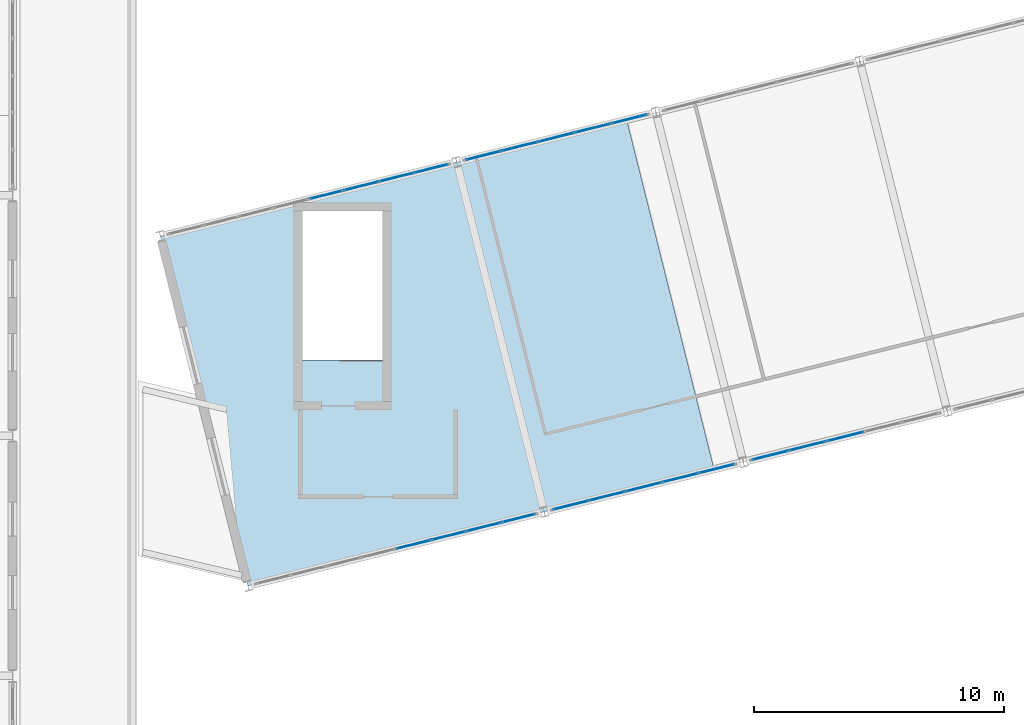
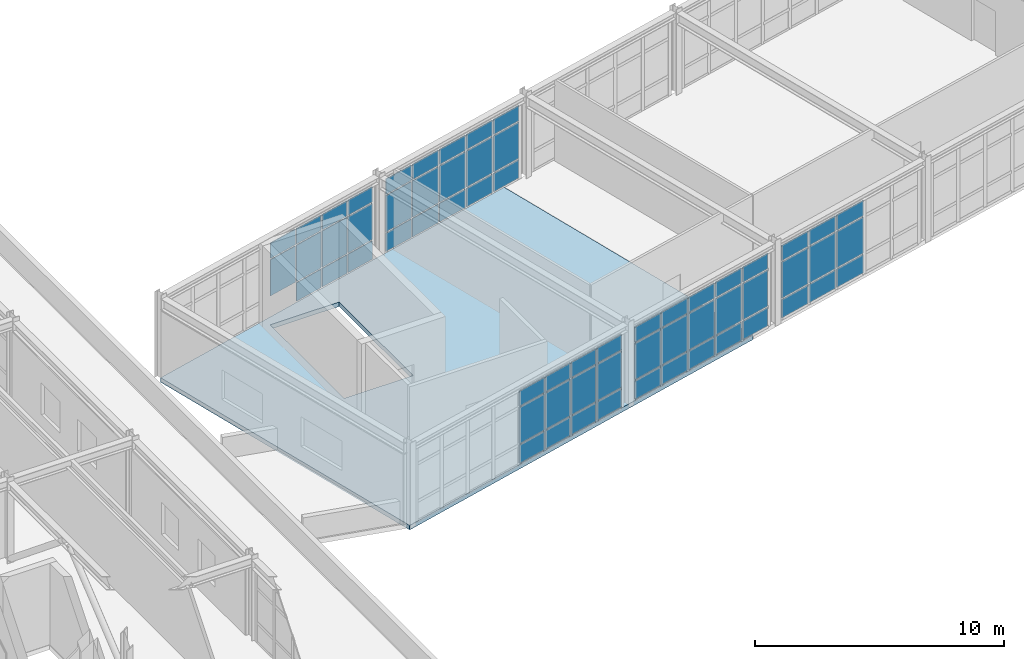
# One storey, part 41 of 64: 62 plates, 1 slab, 5 elements without a shape of their own.
"""IFC4 building model written with IfcOpenShell, lengths in metres."""

from ifc_helpers import new_model, si_unit, direction, frame, origin, origin_2d, place, context, subcontext, project, spatial, polyline, rectangle, outline, extrude, material, layer, layer_set, type_object, element, aggregate, save


model = new_model("IFC4")

# Units and contexts
model_context = context("Model", 3, precision=1e-05, world=origin(), true_north=direction((0.0, 1.0)))
body_context = subcontext(model_context, "Body", "Model", "MODEL_VIEW")
ifc_project = project(units=[si_unit("LENGTHUNIT", "METRE"), si_unit("AREAUNIT", "SQUARE_METRE"), si_unit("VOLUMEUNIT", "CUBIC_METRE"), si_unit("PLANEANGLEUNIT", "RADIAN"), si_unit("MASSUNIT", "GRAM", prefix="KILO")], contexts=[model_context])

# Site, building, storey
site_placement = place(None, origin())
site = spatial("IfcSite", under=ifc_project, at=site_placement, CompositionType="ELEMENT")
building_placement = place(site_placement, origin())
building = spatial("IfcBuilding", under=site, at=building_placement, Name="Nordkorset Police Headquarters", CompositionType="ELEMENT")
storey_placement = place(building_placement, frame((0.0, 0.0, 17.85009765625)))
storey = spatial("IfcBuildingStorey", under=building, at=storey_placement, Name="L04", CompositionType="ELEMENT", Elevation=17.85009765625)

# Curtain wall, plates
ifc_material_1 = material(Name="Aluminium alloy AW-6060", Category="aluminium")
ifc_layer_1 = layer(ifc_material_1, 0.179931640625, Name="Aluminium alloy AW-6060")
ifc_layer_set_1 = layer_set([ifc_layer_1], Name="Aluminium alloy AW-6060")
curtain_wall_type_1 = type_object("IfcCurtainWallType", Name="CW_Unit_1156x369", PredefinedType="USERDEFINED", material=ifc_layer_set_1)
curtain_wall_1_placement = place(storey_placement, origin())
curtain_wall_1 = element("IfcCurtainWall", 1, at=curtain_wall_1_placement, inside=storey, type_object=curtain_wall_type_1, Name="Unitised Curtain Wall L04 V4S-0", ObjectType="UNITISED CURTAIN WALL", PredefinedType="USERDEFINED")
ifc_material_2 = material(Name="Low-iron triple glazing", Category="glass")
ifc_layer_2 = layer(ifc_material_2, 0.035888671875, Name="Low-iron triple glazing")
ifc_layer_set_2 = layer_set([ifc_layer_2], Name="Low-iron triple glazing")
plate_type = type_object("IfcPlateType", Name="CW_Panel_TripleGlazing_36", PredefinedType="CURTAIN_PANEL", material=ifc_layer_set_2)
plate_1_placement = place(storey_placement, frame((30.21875, 43.65478515625, 0.06494140625), z_axis=(0.0, 0.0, 1.0), x_axis=(0.970142500145, 0.242535625038, 0.0)))
plate_1 = element("IfcPlate", 2, at=plate_1_placement, type_object=plate_type, Name="CW-06 panel 5.1", PredefinedType="CURTAIN_PANEL", context=body_context, shape_type="SweptSolid", body=[
    extrude(rectangle(XDim=1.3798828125, YDim=0.035888671875, at=origin_2d()), origin(), (0.0, 0.0, 1.0), 0.902587890625),
])
plate_2_placement = place(storey_placement, frame((30.21875, 43.65478515625, 1.032470703125), z_axis=(0.0, 0.0, 1.0), x_axis=(0.970142500145, 0.242535625038, 0.0)))
plate_2 = element("IfcPlate", 3, at=plate_2_placement, type_object=plate_type, Name="CW-06 panel 5.2", PredefinedType="CURTAIN_PANEL", context=body_context, shape_type="SweptSolid", body=[
    extrude(rectangle(XDim=1.3798828125, YDim=0.035888671875, at=origin_2d()), origin(), (0.0, 0.0, 1.0), 1.77587890625),
])
plate_3_placement = place(storey_placement, frame((30.21875, 43.65478515625, 2.87353515625), z_axis=(0.0, 0.0, 1.0), x_axis=(0.970142500145, 0.242535625038, 0.0)))
plate_3 = element("IfcPlate", 4, at=plate_3_placement, type_object=plate_type, Name="CW-06 panel 5.3", PredefinedType="CURTAIN_PANEL", context=body_context, shape_type="SweptSolid", body=[
    extrude(rectangle(XDim=1.3798828125, YDim=0.035888671875, at=origin_2d()), origin(), (0.0, 0.0, 1.0), 0.75244140625),
])
plate_4_placement = place(storey_placement, frame((31.62060546875, 44.005126953125, 0.06494140625), z_axis=(0.0, 0.0, 1.0), x_axis=(0.970142500145, 0.242535625038, 0.0)))
plate_4 = element("IfcPlate", 5, at=plate_4_placement, type_object=plate_type, Name="CW-06 panel 6.1", PredefinedType="CURTAIN_PANEL", context=body_context, shape_type="SweptSolid", body=[
    extrude(rectangle(XDim=1.3798828125, YDim=0.035888671875, at=origin_2d()), origin(), (0.0, 0.0, 1.0), 0.902587890625),
])
plate_5_placement = place(storey_placement, frame((31.62060546875, 44.005126953125, 1.032470703125), z_axis=(0.0, 0.0, 1.0), x_axis=(0.970142500145, 0.242535625038, 0.0)))
plate_5 = element("IfcPlate", 6, at=plate_5_placement, type_object=plate_type, Name="CW-06 panel 6.2", PredefinedType="CURTAIN_PANEL", context=body_context, shape_type="SweptSolid", body=[
    extrude(rectangle(XDim=1.3798828125, YDim=0.035888671875, at=origin_2d()), origin(), (0.0, 0.0, 1.0), 1.77587890625),
])
plate_6_placement = place(storey_placement, frame((31.62060546875, 44.005126953125, 2.87353515625), z_axis=(0.0, 0.0, 1.0), x_axis=(0.970142500145, 0.242535625038, 0.0)))
plate_6 = element("IfcPlate", 7, at=plate_6_placement, type_object=plate_type, Name="CW-06 panel 6.3", PredefinedType="CURTAIN_PANEL", context=body_context, shape_type="SweptSolid", body=[
    extrude(rectangle(XDim=1.3798828125, YDim=0.035888671875, at=origin_2d()), origin(), (0.0, 0.0, 1.0), 0.75244140625),
])
plate_7_placement = place(storey_placement, frame((33.0224609375, 44.355712890625, 0.06494140625), z_axis=(0.0, 0.0, 1.0), x_axis=(0.970142500145, 0.242535625038, 0.0)))
plate_7 = element("IfcPlate", 8, at=plate_7_placement, type_object=plate_type, Name="CW-06 panel 7.1", PredefinedType="CURTAIN_PANEL", context=body_context, shape_type="SweptSolid", body=[
    extrude(rectangle(XDim=1.3798828125, YDim=0.035888671875, at=origin_2d()), origin(), (0.0, 0.0, 1.0), 0.902587890625),
])
plate_8_placement = place(storey_placement, frame((33.0224609375, 44.355712890625, 1.032470703125), z_axis=(0.0, 0.0, 1.0), x_axis=(0.970142500145, 0.242535625038, 0.0)))
plate_8 = element("IfcPlate", 9, at=plate_8_placement, type_object=plate_type, Name="CW-06 panel 7.2", PredefinedType="CURTAIN_PANEL", context=body_context, shape_type="SweptSolid", body=[
    extrude(rectangle(XDim=1.3798828125, YDim=0.035888671875, at=origin_2d()), origin(), (0.0, 0.0, 1.0), 1.77587890625),
])
plate_9_placement = place(storey_placement, frame((33.0224609375, 44.355712890625, 2.87353515625), z_axis=(0.0, 0.0, 1.0), x_axis=(0.970142500145, 0.242535625038, 0.0)))
plate_9 = element("IfcPlate", 10, at=plate_9_placement, type_object=plate_type, Name="CW-06 panel 7.3", PredefinedType="CURTAIN_PANEL", context=body_context, shape_type="SweptSolid", body=[
    extrude(rectangle(XDim=1.3798828125, YDim=0.035888671875, at=origin_2d()), origin(), (0.0, 0.0, 1.0), 0.75244140625),
])
plate_10_placement = place(storey_placement, frame((34.40869140625, 44.7021484375, 0.06494140625), z_axis=(0.0, 0.0, 1.0), x_axis=(0.970142500145, 0.242535625038, 0.0)))
plate_10 = element("IfcPlate", 11, at=plate_10_placement, type_object=plate_type, Name="CW-06 panel 8.1", PredefinedType="CURTAIN_PANEL", context=body_context, shape_type="SweptSolid", body=[
    extrude(rectangle(XDim=1.347412109375, YDim=0.035888671875, at=origin_2d()), origin(), (0.0, 0.0, 1.0), 0.902587890625),
])
plate_11_placement = place(storey_placement, frame((34.40869140625, 44.7021484375, 1.032470703125), z_axis=(0.0, 0.0, 1.0), x_axis=(0.970142500145, 0.242535625038, 0.0)))
plate_11 = element("IfcPlate", 12, at=plate_11_placement, type_object=plate_type, Name="CW-06 panel 8.2", PredefinedType="CURTAIN_PANEL", context=body_context, shape_type="SweptSolid", body=[
    extrude(rectangle(XDim=1.347412109375, YDim=0.035888671875, at=origin_2d()), origin(), (0.0, 0.0, 1.0), 1.77587890625),
])
plate_12_placement = place(storey_placement, frame((34.40869140625, 44.7021484375, 2.87353515625), z_axis=(0.0, 0.0, 1.0), x_axis=(0.970142500145, 0.242535625038, 0.0)))
plate_12 = element("IfcPlate", 13, at=plate_12_placement, type_object=plate_type, Name="CW-06 panel 8.3", PredefinedType="CURTAIN_PANEL", context=body_context, shape_type="SweptSolid", body=[
    extrude(rectangle(XDim=1.347412109375, YDim=0.035888671875, at=origin_2d()), origin(), (0.0, 0.0, 1.0), 0.75244140625),
])
aggregate(curtain_wall_1, [plate_1, plate_2, plate_3, plate_4, plate_5, plate_6, plate_7, plate_8, plate_9, plate_10, plate_11, plate_12])

curtain_wall_2_placement = place(storey_placement, origin())
curtain_wall_2 = element("IfcCurtainWall", 14, at=curtain_wall_2_placement, inside=storey, type_object=curtain_wall_type_1, Name="Unitised Curtain Wall L04 V4N-0", ObjectType="UNITISED CURTAIN WALL", PredefinedType="USERDEFINED")
plate_13_placement = place(storey_placement, frame((26.726318359375, 57.624755859375, 1.032470703125), z_axis=(0.0, 0.0, 1.0), x_axis=(0.970142347489, 0.242536235663, 0.0)))
plate_13 = element("IfcPlate", 15, at=plate_13_placement, type_object=plate_type, Name="CW-06 panel 5.2", PredefinedType="CURTAIN_PANEL", context=body_context, shape_type="SweptSolid", body=[
    extrude(rectangle(XDim=1.3798828125, YDim=0.035888671875, at=origin_2d()), origin(), (0.0, 0.0, 1.0), 1.77587890625),
])
plate_14_placement = place(storey_placement, frame((26.726318359375, 57.624755859375, 2.87353515625), z_axis=(0.0, 0.0, 1.0), x_axis=(0.970142347489, 0.242536235663, 0.0)))
plate_14 = element("IfcPlate", 16, at=plate_14_placement, type_object=plate_type, Name="CW-06 panel 5.3", PredefinedType="CURTAIN_PANEL", context=body_context, shape_type="SweptSolid", body=[
    extrude(rectangle(XDim=1.3798828125, YDim=0.035888671875, at=origin_2d()), origin(), (0.0, 0.0, 1.0), 0.75244140625),
])
plate_15_placement = place(storey_placement, frame((28.128173828125, 57.97509765625, 0.06494140625), z_axis=(0.0, 0.0, 1.0), x_axis=(0.970142347489, 0.242536235663, 0.0)))
plate_15 = element("IfcPlate", 17, at=plate_15_placement, type_object=plate_type, Name="CW-06 panel 6.1", PredefinedType="CURTAIN_PANEL", context=body_context, shape_type="SweptSolid", body=[
    extrude(rectangle(XDim=1.3798828125, YDim=0.035888671875, at=origin_2d()), origin(), (0.0, 0.0, 1.0), 0.902587890625),
])
plate_16_placement = place(storey_placement, frame((28.128173828125, 57.97509765625, 1.032470703125), z_axis=(0.0, 0.0, 1.0), x_axis=(0.970142347489, 0.242536235663, 0.0)))
plate_16 = element("IfcPlate", 18, at=plate_16_placement, type_object=plate_type, Name="CW-06 panel 6.2", PredefinedType="CURTAIN_PANEL", context=body_context, shape_type="SweptSolid", body=[
    extrude(rectangle(XDim=1.3798828125, YDim=0.035888671875, at=origin_2d()), origin(), (0.0, 0.0, 1.0), 1.77587890625),
])
plate_17_placement = place(storey_placement, frame((28.128173828125, 57.97509765625, 2.87353515625), z_axis=(0.0, 0.0, 1.0), x_axis=(0.970142347489, 0.242536235663, 0.0)))
plate_17 = element("IfcPlate", 19, at=plate_17_placement, type_object=plate_type, Name="CW-06 panel 6.3", PredefinedType="CURTAIN_PANEL", context=body_context, shape_type="SweptSolid", body=[
    extrude(rectangle(XDim=1.3798828125, YDim=0.035888671875, at=origin_2d()), origin(), (0.0, 0.0, 1.0), 0.75244140625),
])
plate_18_placement = place(storey_placement, frame((29.530029296875, 58.32568359375, 0.06494140625), z_axis=(0.0, 0.0, 1.0), x_axis=(0.970142347489, 0.242536235663, 0.0)))
plate_18 = element("IfcPlate", 20, at=plate_18_placement, type_object=plate_type, Name="CW-06 panel 7.1", PredefinedType="CURTAIN_PANEL", context=body_context, shape_type="SweptSolid", body=[
    extrude(rectangle(XDim=1.3798828125, YDim=0.035888671875, at=origin_2d()), origin(), (0.0, 0.0, 1.0), 0.902587890625),
])
plate_19_placement = place(storey_placement, frame((29.530029296875, 58.32568359375, 1.032470703125), z_axis=(0.0, 0.0, 1.0), x_axis=(0.970142347489, 0.242536235663, 0.0)))
plate_19 = element("IfcPlate", 21, at=plate_19_placement, type_object=plate_type, Name="CW-06 panel 7.2", PredefinedType="CURTAIN_PANEL", context=body_context, shape_type="SweptSolid", body=[
    extrude(rectangle(XDim=1.3798828125, YDim=0.035888671875, at=origin_2d()), origin(), (0.0, 0.0, 1.0), 1.77587890625),
])
plate_20_placement = place(storey_placement, frame((29.530029296875, 58.32568359375, 2.87353515625), z_axis=(0.0, 0.0, 1.0), x_axis=(0.970142347489, 0.242536235663, 0.0)))
plate_20 = element("IfcPlate", 22, at=plate_20_placement, type_object=plate_type, Name="CW-06 panel 7.3", PredefinedType="CURTAIN_PANEL", context=body_context, shape_type="SweptSolid", body=[
    extrude(rectangle(XDim=1.3798828125, YDim=0.035888671875, at=origin_2d()), origin(), (0.0, 0.0, 1.0), 0.75244140625),
])
plate_21_placement = place(storey_placement, frame((30.916015625, 58.672119140625, 0.06494140625), z_axis=(0.0, 0.0, 1.0), x_axis=(0.970142347489, 0.242536235663, 0.0)))
plate_21 = element("IfcPlate", 23, at=plate_21_placement, type_object=plate_type, Name="CW-06 panel 8.1", PredefinedType="CURTAIN_PANEL", context=body_context, shape_type="SweptSolid", body=[
    extrude(rectangle(XDim=1.347412109375, YDim=0.035888671875, at=origin_2d()), origin(), (0.0, 0.0, 1.0), 0.902587890625),
])
plate_22_placement = place(storey_placement, frame((30.916015625, 58.672119140625, 1.032470703125), z_axis=(0.0, 0.0, 1.0), x_axis=(0.970142347489, 0.242536235663, 0.0)))
plate_22 = element("IfcPlate", 24, at=plate_22_placement, type_object=plate_type, Name="CW-06 panel 8.2", PredefinedType="CURTAIN_PANEL", context=body_context, shape_type="SweptSolid", body=[
    extrude(rectangle(XDim=1.347412109375, YDim=0.035888671875, at=origin_2d()), origin(), (0.0, 0.0, 1.0), 1.77587890625),
])
plate_23_placement = place(storey_placement, frame((30.916015625, 58.672119140625, 2.87353515625), z_axis=(0.0, 0.0, 1.0), x_axis=(0.970142347489, 0.242536235663, 0.0)))
plate_23 = element("IfcPlate", 25, at=plate_23_placement, type_object=plate_type, Name="CW-06 panel 8.3", PredefinedType="CURTAIN_PANEL", context=body_context, shape_type="SweptSolid", body=[
    extrude(rectangle(XDim=1.347412109375, YDim=0.035888671875, at=origin_2d()), origin(), (0.0, 0.0, 1.0), 0.75244140625),
])
aggregate(curtain_wall_2, [plate_13, plate_14, plate_15, plate_16, plate_17, plate_18, plate_19, plate_20, plate_21, plate_22, plate_23])

ifc_material_3 = material(Name="Aluminium alloy AW-6060", Category="aluminium")
ifc_layer_3 = layer(ifc_material_3, 0.179931640625, Name="Aluminium alloy AW-6060")
ifc_layer_set_3 = layer_set([ifc_layer_3], Name="Aluminium alloy AW-6060")
curtain_wall_type_2 = type_object("IfcCurtainWallType", Name="CW_Unit_756x369", PredefinedType="USERDEFINED", material=ifc_layer_set_3)
curtain_wall_3_placement = place(storey_placement, origin())
curtain_wall_3 = element("IfcCurtainWall", 26, at=curtain_wall_3_placement, inside=storey, type_object=curtain_wall_type_2, Name="Unitised Curtain Wall L04 V4S-1", ObjectType="UNITISED CURTAIN WALL", PredefinedType="USERDEFINED")
plate_24_placement = place(storey_placement, frame((36.495361328125, 45.223876953125, 0.06494140625), z_axis=(0.0, 0.0, 1.0), x_axis=(0.970142500145, 0.242535625038, 0.0)))
plate_24 = element("IfcPlate", 27, at=plate_24_placement, type_object=plate_type, Name="CW-90 panel 1.1", PredefinedType="CURTAIN_PANEL", context=body_context, shape_type="SweptSolid", body=[
    extrude(rectangle(XDim=1.41455078125, YDim=0.035888671875, at=origin_2d()), origin(), (0.0, 0.0, 1.0), 0.902587890625),
])
plate_25_placement = place(storey_placement, frame((36.495361328125, 45.223876953125, 1.032470703125), z_axis=(0.0, 0.0, 1.0), x_axis=(0.970142500145, 0.242535625038, 0.0)))
plate_25 = element("IfcPlate", 28, at=plate_25_placement, type_object=plate_type, Name="CW-90 panel 1.2", PredefinedType="CURTAIN_PANEL", context=body_context, shape_type="SweptSolid", body=[
    extrude(rectangle(XDim=1.41455078125, YDim=0.035888671875, at=origin_2d()), origin(), (0.0, 0.0, 1.0), 1.77587890625),
])
plate_26_placement = place(storey_placement, frame((36.495361328125, 45.223876953125, 2.87353515625), z_axis=(0.0, 0.0, 1.0), x_axis=(0.970142500145, 0.242535625038, 0.0)))
plate_26 = element("IfcPlate", 29, at=plate_26_placement, type_object=plate_type, Name="CW-90 panel 1.3", PredefinedType="CURTAIN_PANEL", context=body_context, shape_type="SweptSolid", body=[
    extrude(rectangle(XDim=1.41455078125, YDim=0.035888671875, at=origin_2d()), origin(), (0.0, 0.0, 1.0), 0.75244140625),
])
plate_27_placement = place(storey_placement, frame((37.946533203125, 45.586669921875, 0.06494140625), z_axis=(0.0, 0.0, 1.0), x_axis=(0.970142500145, 0.242535625038, 0.0)))
plate_27 = element("IfcPlate", 30, at=plate_27_placement, type_object=plate_type, Name="CW-90 panel 2.1", PredefinedType="CURTAIN_PANEL", context=body_context, shape_type="SweptSolid", body=[
    extrude(rectangle(XDim=1.447021484375, YDim=0.035888671875, at=origin_2d()), origin(), (0.0, 0.0, 1.0), 0.902587890625),
])
plate_28_placement = place(storey_placement, frame((37.946533203125, 45.586669921875, 1.032470703125), z_axis=(0.0, 0.0, 1.0), x_axis=(0.970142500145, 0.242535625038, 0.0)))
plate_28 = element("IfcPlate", 31, at=plate_28_placement, type_object=plate_type, Name="CW-90 panel 2.2", PredefinedType="CURTAIN_PANEL", context=body_context, shape_type="SweptSolid", body=[
    extrude(rectangle(XDim=1.447021484375, YDim=0.035888671875, at=origin_2d()), origin(), (0.0, 0.0, 1.0), 1.77587890625),
])
plate_29_placement = place(storey_placement, frame((37.946533203125, 45.586669921875, 2.87353515625), z_axis=(0.0, 0.0, 1.0), x_axis=(0.970142500145, 0.242535625038, 0.0)))
plate_29 = element("IfcPlate", 32, at=plate_29_placement, type_object=plate_type, Name="CW-90 panel 2.3", PredefinedType="CURTAIN_PANEL", context=body_context, shape_type="SweptSolid", body=[
    extrude(rectangle(XDim=1.447021484375, YDim=0.035888671875, at=origin_2d()), origin(), (0.0, 0.0, 1.0), 0.75244140625),
])
plate_30_placement = place(storey_placement, frame((39.413330078125, 45.953369140625, 0.06494140625), z_axis=(0.0, 0.0, 1.0), x_axis=(0.970142500145, 0.242535625038, 0.0)))
plate_30 = element("IfcPlate", 33, at=plate_30_placement, type_object=plate_type, Name="CW-90 panel 3.1", PredefinedType="CURTAIN_PANEL", context=body_context, shape_type="SweptSolid", body=[
    extrude(rectangle(XDim=1.447021484375, YDim=0.035888671875, at=origin_2d()), origin(), (0.0, 0.0, 1.0), 0.902587890625),
])
plate_31_placement = place(storey_placement, frame((39.413330078125, 45.953369140625, 1.032470703125), z_axis=(0.0, 0.0, 1.0), x_axis=(0.970142500145, 0.242535625038, 0.0)))
plate_31 = element("IfcPlate", 34, at=plate_31_placement, type_object=plate_type, Name="CW-90 panel 3.2", PredefinedType="CURTAIN_PANEL", context=body_context, shape_type="SweptSolid", body=[
    extrude(rectangle(XDim=1.447021484375, YDim=0.035888671875, at=origin_2d()), origin(), (0.0, 0.0, 1.0), 1.77587890625),
])
plate_32_placement = place(storey_placement, frame((39.413330078125, 45.953369140625, 2.87353515625), z_axis=(0.0, 0.0, 1.0), x_axis=(0.970142500145, 0.242535625038, 0.0)))
plate_32 = element("IfcPlate", 35, at=plate_32_placement, type_object=plate_type, Name="CW-90 panel 3.3", PredefinedType="CURTAIN_PANEL", context=body_context, shape_type="SweptSolid", body=[
    extrude(rectangle(XDim=1.447021484375, YDim=0.035888671875, at=origin_2d()), origin(), (0.0, 0.0, 1.0), 0.75244140625),
])
plate_33_placement = place(storey_placement, frame((40.880126953125, 46.320068359375, 0.06494140625), z_axis=(0.0, 0.0, 1.0), x_axis=(0.970142500145, 0.242535625038, 0.0)))
plate_33 = element("IfcPlate", 36, at=plate_33_placement, type_object=plate_type, Name="CW-90 panel 4.1", PredefinedType="CURTAIN_PANEL", context=body_context, shape_type="SweptSolid", body=[
    extrude(rectangle(XDim=1.447021484375, YDim=0.035888671875, at=origin_2d()), origin(), (0.0, 0.0, 1.0), 0.902587890625),
])
plate_34_placement = place(storey_placement, frame((40.880126953125, 46.320068359375, 1.032470703125), z_axis=(0.0, 0.0, 1.0), x_axis=(0.970142500145, 0.242535625038, 0.0)))
plate_34 = element("IfcPlate", 37, at=plate_34_placement, type_object=plate_type, Name="CW-90 panel 4.2", PredefinedType="CURTAIN_PANEL", context=body_context, shape_type="SweptSolid", body=[
    extrude(rectangle(XDim=1.447021484375, YDim=0.035888671875, at=origin_2d()), origin(), (0.0, 0.0, 1.0), 1.77587890625),
])
plate_35_placement = place(storey_placement, frame((40.880126953125, 46.320068359375, 2.87353515625), z_axis=(0.0, 0.0, 1.0), x_axis=(0.970142500145, 0.242535625038, 0.0)))
plate_35 = element("IfcPlate", 38, at=plate_35_placement, type_object=plate_type, Name="CW-90 panel 4.3", PredefinedType="CURTAIN_PANEL", context=body_context, shape_type="SweptSolid", body=[
    extrude(rectangle(XDim=1.447021484375, YDim=0.035888671875, at=origin_2d()), origin(), (0.0, 0.0, 1.0), 0.75244140625),
])
plate_36_placement = place(storey_placement, frame((42.331298828125, 46.682861328125, 0.06494140625), z_axis=(0.0, 0.0, 1.0), x_axis=(0.970142500145, 0.242535625038, 0.0)))
plate_36 = element("IfcPlate", 39, at=plate_36_placement, type_object=plate_type, Name="CW-90 panel 5.1", PredefinedType="CURTAIN_PANEL", context=body_context, shape_type="SweptSolid", body=[
    extrude(rectangle(XDim=1.41455078125, YDim=0.035888671875, at=origin_2d()), origin(), (0.0, 0.0, 1.0), 0.902587890625),
])
plate_37_placement = place(storey_placement, frame((42.331298828125, 46.682861328125, 1.032470703125), z_axis=(0.0, 0.0, 1.0), x_axis=(0.970142500145, 0.242535625038, 0.0)))
plate_37 = element("IfcPlate", 40, at=plate_37_placement, type_object=plate_type, Name="CW-90 panel 5.2", PredefinedType="CURTAIN_PANEL", context=body_context, shape_type="SweptSolid", body=[
    extrude(rectangle(XDim=1.41455078125, YDim=0.035888671875, at=origin_2d()), origin(), (0.0, 0.0, 1.0), 1.77587890625),
])
plate_38_placement = place(storey_placement, frame((42.331298828125, 46.682861328125, 2.87353515625), z_axis=(0.0, 0.0, 1.0), x_axis=(0.970142500145, 0.242535625038, 0.0)))
plate_38 = element("IfcPlate", 41, at=plate_38_placement, type_object=plate_type, Name="CW-90 panel 5.3", PredefinedType="CURTAIN_PANEL", context=body_context, shape_type="SweptSolid", body=[
    extrude(rectangle(XDim=1.41455078125, YDim=0.035888671875, at=origin_2d()), origin(), (0.0, 0.0, 1.0), 0.75244140625),
])
aggregate(curtain_wall_3, [plate_24, plate_25, plate_26, plate_27, plate_28, plate_29, plate_30, plate_31, plate_32, plate_33, plate_34, plate_35, plate_36, plate_37, plate_38])

curtain_wall_4_placement = place(storey_placement, origin())
curtain_wall_4 = element("IfcCurtainWall", 42, at=curtain_wall_4_placement, inside=storey, type_object=curtain_wall_type_2, Name="Unitised Curtain Wall L04 V4N-1", ObjectType="UNITISED CURTAIN WALL", PredefinedType="USERDEFINED")
plate_39_placement = place(storey_placement, frame((33.0029296875, 59.19384765625, 0.06494140625), z_axis=(0.0, 0.0, 1.0), x_axis=(0.970142500145, 0.242535625038, 0.0)))
plate_39 = element("IfcPlate", 43, at=plate_39_placement, type_object=plate_type, Name="CW-90 panel 1.1", PredefinedType="CURTAIN_PANEL", context=body_context, shape_type="SweptSolid", body=[
    extrude(rectangle(XDim=1.41455078125, YDim=0.035888671875, at=origin_2d()), origin(), (0.0, 0.0, 1.0), 0.902587890625),
])
plate_40_placement = place(storey_placement, frame((33.0029296875, 59.19384765625, 1.032470703125), z_axis=(0.0, 0.0, 1.0), x_axis=(0.970142500145, 0.242535625038, 0.0)))
plate_40 = element("IfcPlate", 44, at=plate_40_placement, type_object=plate_type, Name="CW-90 panel 1.2", PredefinedType="CURTAIN_PANEL", context=body_context, shape_type="SweptSolid", body=[
    extrude(rectangle(XDim=1.41455078125, YDim=0.035888671875, at=origin_2d()), origin(), (0.0, 0.0, 1.0), 1.77587890625),
])
plate_41_placement = place(storey_placement, frame((33.0029296875, 59.19384765625, 2.87353515625), z_axis=(0.0, 0.0, 1.0), x_axis=(0.970142500145, 0.242535625038, 0.0)))
plate_41 = element("IfcPlate", 45, at=plate_41_placement, type_object=plate_type, Name="CW-90 panel 1.3", PredefinedType="CURTAIN_PANEL", context=body_context, shape_type="SweptSolid", body=[
    extrude(rectangle(XDim=1.41455078125, YDim=0.035888671875, at=origin_2d()), origin(), (0.0, 0.0, 1.0), 0.75244140625),
])
plate_42_placement = place(storey_placement, frame((34.453857421875, 59.556640625, 0.06494140625), z_axis=(0.0, 0.0, 1.0), x_axis=(0.970142500145, 0.242535625038, 0.0)))
plate_42 = element("IfcPlate", 46, at=plate_42_placement, type_object=plate_type, Name="CW-90 panel 2.1", PredefinedType="CURTAIN_PANEL", context=body_context, shape_type="SweptSolid", body=[
    extrude(rectangle(XDim=1.447021484375, YDim=0.035888671875, at=origin_2d()), origin(), (0.0, 0.0, 1.0), 0.902587890625),
])
plate_43_placement = place(storey_placement, frame((34.453857421875, 59.556640625, 1.032470703125), z_axis=(0.0, 0.0, 1.0), x_axis=(0.970142500145, 0.242535625038, 0.0)))
plate_43 = element("IfcPlate", 47, at=plate_43_placement, type_object=plate_type, Name="CW-90 panel 2.2", PredefinedType="CURTAIN_PANEL", context=body_context, shape_type="SweptSolid", body=[
    extrude(rectangle(XDim=1.447021484375, YDim=0.035888671875, at=origin_2d()), origin(), (0.0, 0.0, 1.0), 1.77587890625),
])
plate_44_placement = place(storey_placement, frame((34.453857421875, 59.556640625, 2.87353515625), z_axis=(0.0, 0.0, 1.0), x_axis=(0.970142500145, 0.242535625038, 0.0)))
plate_44 = element("IfcPlate", 48, at=plate_44_placement, type_object=plate_type, Name="CW-90 panel 2.3", PredefinedType="CURTAIN_PANEL", context=body_context, shape_type="SweptSolid", body=[
    extrude(rectangle(XDim=1.447021484375, YDim=0.035888671875, at=origin_2d()), origin(), (0.0, 0.0, 1.0), 0.75244140625),
])
plate_45_placement = place(storey_placement, frame((35.9208984375, 59.92333984375, 0.06494140625), z_axis=(0.0, 0.0, 1.0), x_axis=(0.970142500145, 0.242535625038, 0.0)))
plate_45 = element("IfcPlate", 49, at=plate_45_placement, type_object=plate_type, Name="CW-90 panel 3.1", PredefinedType="CURTAIN_PANEL", context=body_context, shape_type="SweptSolid", body=[
    extrude(rectangle(XDim=1.447021484375, YDim=0.035888671875, at=origin_2d()), origin(), (0.0, 0.0, 1.0), 0.902587890625),
])
plate_46_placement = place(storey_placement, frame((35.9208984375, 59.92333984375, 1.032470703125), z_axis=(0.0, 0.0, 1.0), x_axis=(0.970142500145, 0.242535625038, 0.0)))
plate_46 = element("IfcPlate", 50, at=plate_46_placement, type_object=plate_type, Name="CW-90 panel 3.2", PredefinedType="CURTAIN_PANEL", context=body_context, shape_type="SweptSolid", body=[
    extrude(rectangle(XDim=1.447021484375, YDim=0.035888671875, at=origin_2d()), origin(), (0.0, 0.0, 1.0), 1.77587890625),
])
plate_47_placement = place(storey_placement, frame((35.9208984375, 59.92333984375, 2.87353515625), z_axis=(0.0, 0.0, 1.0), x_axis=(0.970142500145, 0.242535625038, 0.0)))
plate_47 = element("IfcPlate", 51, at=plate_47_placement, type_object=plate_type, Name="CW-90 panel 3.3", PredefinedType="CURTAIN_PANEL", context=body_context, shape_type="SweptSolid", body=[
    extrude(rectangle(XDim=1.447021484375, YDim=0.035888671875, at=origin_2d()), origin(), (0.0, 0.0, 1.0), 0.75244140625),
])
plate_48_placement = place(storey_placement, frame((37.3876953125, 60.2900390625, 0.06494140625), z_axis=(0.0, 0.0, 1.0), x_axis=(0.970142500145, 0.242535625038, 0.0)))
plate_48 = element("IfcPlate", 52, at=plate_48_placement, type_object=plate_type, Name="CW-90 panel 4.1", PredefinedType="CURTAIN_PANEL", context=body_context, shape_type="SweptSolid", body=[
    extrude(rectangle(XDim=1.447021484375, YDim=0.035888671875, at=origin_2d()), origin(), (0.0, 0.0, 1.0), 0.902587890625),
])
plate_49_placement = place(storey_placement, frame((37.3876953125, 60.2900390625, 1.032470703125), z_axis=(0.0, 0.0, 1.0), x_axis=(0.970142500145, 0.242535625038, 0.0)))
plate_49 = element("IfcPlate", 53, at=plate_49_placement, type_object=plate_type, Name="CW-90 panel 4.2", PredefinedType="CURTAIN_PANEL", context=body_context, shape_type="SweptSolid", body=[
    extrude(rectangle(XDim=1.447021484375, YDim=0.035888671875, at=origin_2d()), origin(), (0.0, 0.0, 1.0), 1.77587890625),
])
plate_50_placement = place(storey_placement, frame((37.3876953125, 60.2900390625, 2.87353515625), z_axis=(0.0, 0.0, 1.0), x_axis=(0.970142500145, 0.242535625038, 0.0)))
plate_50 = element("IfcPlate", 54, at=plate_50_placement, type_object=plate_type, Name="CW-90 panel 4.3", PredefinedType="CURTAIN_PANEL", context=body_context, shape_type="SweptSolid", body=[
    extrude(rectangle(XDim=1.447021484375, YDim=0.035888671875, at=origin_2d()), origin(), (0.0, 0.0, 1.0), 0.75244140625),
])
plate_51_placement = place(storey_placement, frame((38.8388671875, 60.65283203125, 0.06494140625), z_axis=(0.0, 0.0, 1.0), x_axis=(0.970142500145, 0.242535625038, 0.0)))
plate_51 = element("IfcPlate", 55, at=plate_51_placement, type_object=plate_type, Name="CW-90 panel 5.1", PredefinedType="CURTAIN_PANEL", context=body_context, shape_type="SweptSolid", body=[
    extrude(rectangle(XDim=1.41455078125, YDim=0.035888671875, at=origin_2d()), origin(), (0.0, 0.0, 1.0), 0.902587890625),
])
plate_52_placement = place(storey_placement, frame((38.8388671875, 60.65283203125, 1.032470703125), z_axis=(0.0, 0.0, 1.0), x_axis=(0.970142500145, 0.242535625038, 0.0)))
plate_52 = element("IfcPlate", 56, at=plate_52_placement, type_object=plate_type, Name="CW-90 panel 5.2", PredefinedType="CURTAIN_PANEL", context=body_context, shape_type="SweptSolid", body=[
    extrude(rectangle(XDim=1.41455078125, YDim=0.035888671875, at=origin_2d()), origin(), (0.0, 0.0, 1.0), 1.77587890625),
])
plate_53_placement = place(storey_placement, frame((38.8388671875, 60.65283203125, 2.87353515625), z_axis=(0.0, 0.0, 1.0), x_axis=(0.970142500145, 0.242535625038, 0.0)))
plate_53 = element("IfcPlate", 57, at=plate_53_placement, type_object=plate_type, Name="CW-90 panel 5.3", PredefinedType="CURTAIN_PANEL", context=body_context, shape_type="SweptSolid", body=[
    extrude(rectangle(XDim=1.41455078125, YDim=0.035888671875, at=origin_2d()), origin(), (0.0, 0.0, 1.0), 0.75244140625),
])
aggregate(curtain_wall_4, [plate_39, plate_40, plate_41, plate_42, plate_43, plate_44, plate_45, plate_46, plate_47, plate_48, plate_49, plate_50, plate_51, plate_52, plate_53])

ifc_material_4 = material(Name="Aluminium alloy AW-6060", Category="aluminium")
ifc_layer_4 = layer(ifc_material_4, 0.179931640625, Name="Aluminium alloy AW-6060")
ifc_layer_set_4 = layer_set([ifc_layer_4], Name="Aluminium alloy AW-6060")
curtain_wall_type_3 = type_object("IfcCurtainWallType", Name="CW_Unit_776x369", PredefinedType="USERDEFINED", material=ifc_layer_set_4)
curtain_wall_5_placement = place(storey_placement, origin())
curtain_wall_5 = element("IfcCurtainWall", 58, at=curtain_wall_5_placement, inside=storey, type_object=curtain_wall_type_3, Name="Unitised Curtain Wall L04 V4S-2", ObjectType="UNITISED CURTAIN WALL", PredefinedType="USERDEFINED")
plate_54_placement = place(storey_placement, frame((44.469970703125, 47.217529296875, 0.06494140625), z_axis=(0.0, 0.0, 1.0), x_axis=(0.970142727556, 0.24253471539, 0.0)))
plate_54 = element("IfcPlate", 59, at=plate_54_placement, type_object=plate_type, Name="CW-21 panel 1.1", PredefinedType="CURTAIN_PANEL", context=body_context, shape_type="SweptSolid", body=[
    extrude(rectangle(XDim=1.45458984375, YDim=0.035888671875, at=origin_2d()), origin(), (0.0, 0.0, 1.0), 0.902587890625),
])
plate_55_placement = place(storey_placement, frame((44.469970703125, 47.217529296875, 1.032470703125), z_axis=(0.0, 0.0, 1.0), x_axis=(0.970142727556, 0.24253471539, 0.0)))
plate_55 = element("IfcPlate", 60, at=plate_55_placement, type_object=plate_type, Name="CW-21 panel 1.2", PredefinedType="CURTAIN_PANEL", context=body_context, shape_type="SweptSolid", body=[
    extrude(rectangle(XDim=1.45458984375, YDim=0.035888671875, at=origin_2d()), origin(), (0.0, 0.0, 1.0), 1.77587890625),
])
plate_56_placement = place(storey_placement, frame((44.469970703125, 47.217529296875, 2.87353515625), z_axis=(0.0, 0.0, 1.0), x_axis=(0.970142727556, 0.24253471539, 0.0)))
plate_56 = element("IfcPlate", 61, at=plate_56_placement, type_object=plate_type, Name="CW-21 panel 1.3", PredefinedType="CURTAIN_PANEL", context=body_context, shape_type="SweptSolid", body=[
    extrude(rectangle(XDim=1.45458984375, YDim=0.035888671875, at=origin_2d()), origin(), (0.0, 0.0, 1.0), 0.75244140625),
])
plate_57_placement = place(storey_placement, frame((45.9599609375, 47.58984375, 0.06494140625), z_axis=(0.0, 0.0, 1.0), x_axis=(0.970142727556, 0.24253471539, 0.0)))
plate_57 = element("IfcPlate", 62, at=plate_57_placement, type_object=plate_type, Name="CW-21 panel 2.1", PredefinedType="CURTAIN_PANEL", context=body_context, shape_type="SweptSolid", body=[
    extrude(rectangle(XDim=1.487060546875, YDim=0.035888671875, at=origin_2d()), origin(), (0.0, 0.0, 1.0), 0.902587890625),
])
plate_58_placement = place(storey_placement, frame((45.9599609375, 47.58984375, 1.032470703125), z_axis=(0.0, 0.0, 1.0), x_axis=(0.970142727556, 0.24253471539, 0.0)))
plate_58 = element("IfcPlate", 63, at=plate_58_placement, type_object=plate_type, Name="CW-21 panel 2.2", PredefinedType="CURTAIN_PANEL", context=body_context, shape_type="SweptSolid", body=[
    extrude(rectangle(XDim=1.487060546875, YDim=0.035888671875, at=origin_2d()), origin(), (0.0, 0.0, 1.0), 1.77587890625),
])
plate_59_placement = place(storey_placement, frame((45.9599609375, 47.58984375, 2.87353515625), z_axis=(0.0, 0.0, 1.0), x_axis=(0.970142727556, 0.24253471539, 0.0)))
plate_59 = element("IfcPlate", 64, at=plate_59_placement, type_object=plate_type, Name="CW-21 panel 2.3", PredefinedType="CURTAIN_PANEL", context=body_context, shape_type="SweptSolid", body=[
    extrude(rectangle(XDim=1.487060546875, YDim=0.035888671875, at=origin_2d()), origin(), (0.0, 0.0, 1.0), 0.75244140625),
])
plate_60_placement = place(storey_placement, frame((47.465576171875, 47.96630859375, 0.06494140625), z_axis=(0.0, 0.0, 1.0), x_axis=(0.970142727556, 0.24253471539, 0.0)))
plate_60 = element("IfcPlate", 65, at=plate_60_placement, type_object=plate_type, Name="CW-21 panel 3.1", PredefinedType="CURTAIN_PANEL", context=body_context, shape_type="SweptSolid", body=[
    extrude(rectangle(XDim=1.487060546875, YDim=0.035888671875, at=origin_2d()), origin(), (0.0, 0.0, 1.0), 0.902587890625),
])
plate_61_placement = place(storey_placement, frame((47.465576171875, 47.96630859375, 1.032470703125), z_axis=(0.0, 0.0, 1.0), x_axis=(0.970142727556, 0.24253471539, 0.0)))
plate_61 = element("IfcPlate", 66, at=plate_61_placement, type_object=plate_type, Name="CW-21 panel 3.2", PredefinedType="CURTAIN_PANEL", context=body_context, shape_type="SweptSolid", body=[
    extrude(rectangle(XDim=1.487060546875, YDim=0.035888671875, at=origin_2d()), origin(), (0.0, 0.0, 1.0), 1.77587890625),
])
plate_62_placement = place(storey_placement, frame((47.465576171875, 47.96630859375, 2.87353515625), z_axis=(0.0, 0.0, 1.0), x_axis=(0.970142727556, 0.24253471539, 0.0)))
plate_62 = element("IfcPlate", 67, at=plate_62_placement, type_object=plate_type, Name="CW-21 panel 3.3", PredefinedType="CURTAIN_PANEL", context=body_context, shape_type="SweptSolid", body=[
    extrude(rectangle(XDim=1.487060546875, YDim=0.035888671875, at=origin_2d()), origin(), (0.0, 0.0, 1.0), 0.75244140625),
])
aggregate(curtain_wall_5, [plate_54, plate_55, plate_56, plate_57, plate_58, plate_59, plate_60, plate_61, plate_62])

# Slab
ifc_material_5 = material(Name="Concrete C35/45", Category="concrete")
ifc_layer_5 = layer(ifc_material_5, 0.219970703125, Name="Concrete C35/45")
ifc_layer_set_5 = layer_set([ifc_layer_5], Name="Concrete C35/45")
slab_type = type_object("IfcSlabType", Name="Slab_Office_220", PredefinedType="FLOOR", material=ifc_layer_set_5)
slab_placement = place(storey_placement, frame((0.0, 0.0, -0.22021484375)))
element("IfcSlab", 68, at=slab_placement, inside=storey, type_object=slab_type, Name="Splayed Wing Floor Slab West L04", PredefinedType="FLOOR", context=body_context, shape_type="SweptSolid", body=[
    extrude(outline(polyline([(20.107421875, 55.969970703125), (38.734130859375, 60.626708984375), (42.226806640625, 46.65673828125), (23.60009765625, 42.0), (20.107421875, 55.969970703125)]), holes=[polyline([(28.97509765625, 56.97509765625), (25.77490234375, 56.97509765625), (25.77490234375, 51.028076171875), (28.97509765625, 51.028076171875), (28.97509765625, 56.97509765625)])]), origin(), (0.0, 0.0, 1.0), 0.22021484375),
])

save(model, "model.ifc")
